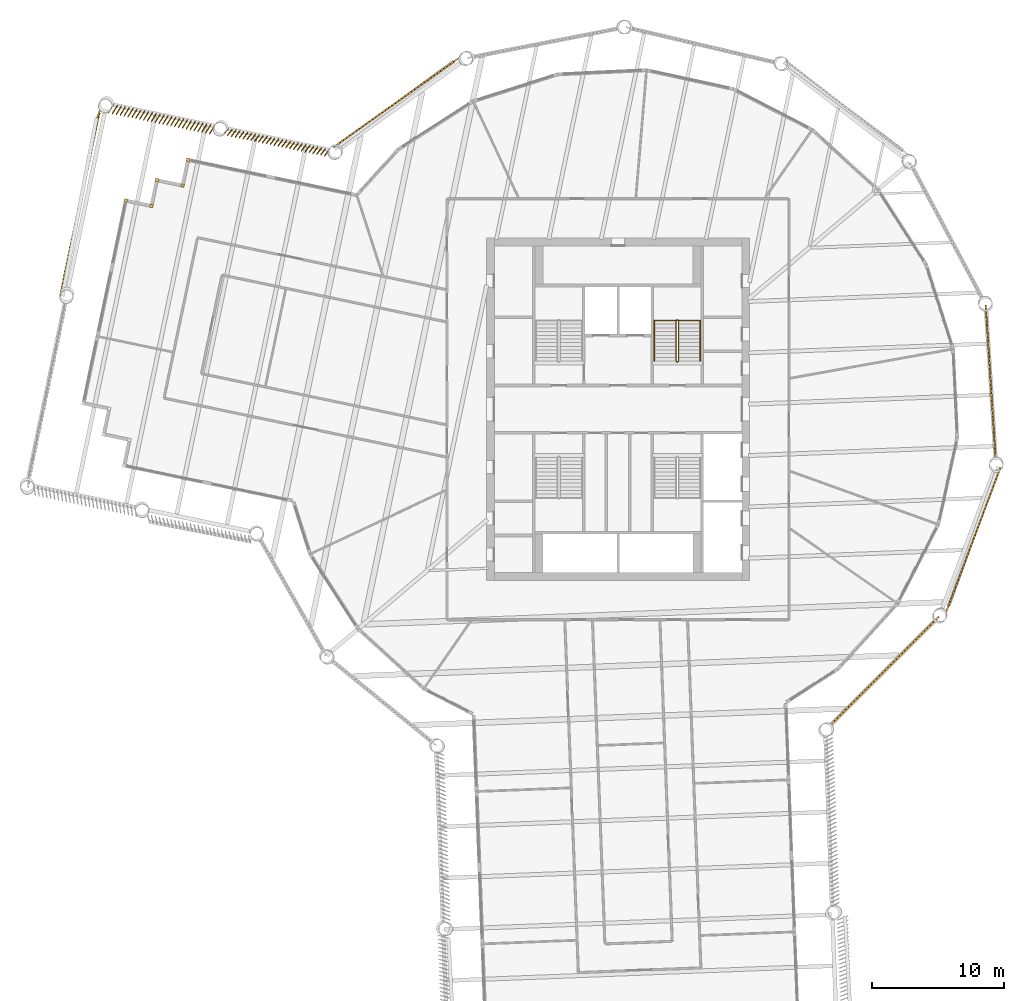
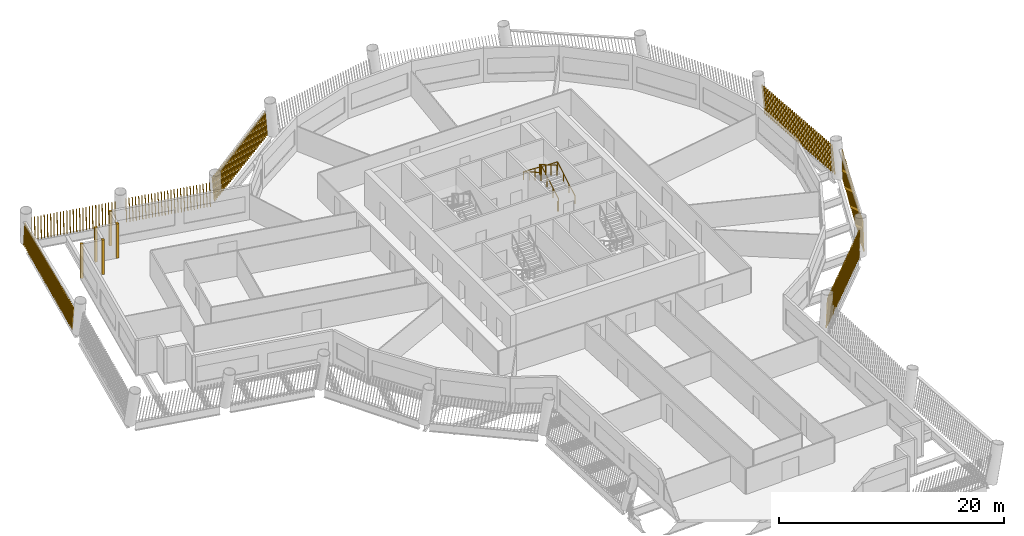
# One storey, part 12 of 14: 12 shading devices, 2 railings.
"""IFC4 building model written with IfcOpenShell, lengths in metres."""

from ifc_helpers import new_model, si_unit, direction, frame, frame_2d, origin, origin_2d, place, context, subcontext, project, spatial, rectangle, circle, composite_profile, extrude, material, type_object, element, save


model = new_model("IFC4")

# Units and contexts
model_context = context("Model", 3, precision=1e-05, world=origin(), true_north=direction((0.0, 1.0)))
body_context = subcontext(model_context, "Body", "Model", "MODEL_VIEW")
ifc_project = project(units=[si_unit("LENGTHUNIT", "METRE"), si_unit("AREAUNIT", "SQUARE_METRE"), si_unit("VOLUMEUNIT", "CUBIC_METRE"), si_unit("PLANEANGLEUNIT", "RADIAN"), si_unit("MASSUNIT", "GRAM", prefix="KILO")], contexts=[model_context])

# Site, building, storey
site_placement = place(None, origin())
site = spatial("IfcSite", under=ifc_project, at=site_placement, CompositionType="ELEMENT")
building_placement = place(site_placement, origin())
building = spatial("IfcBuilding", under=site, at=building_placement, Name="Tarsis Ring Headquarters", CompositionType="ELEMENT")
storey_placement = place(building_placement, frame((0.0, 0.0, 235.5)))
storey = spatial("IfcBuildingStorey", under=building, at=storey_placement, Name="L55", CompositionType="ELEMENT", Elevation=235.5)

# Railings
ifc_material_1 = material(Name="Steel S355", Category="steel")
railing_type_1 = type_object("IfcRailingType", Name="Core stair guard 1100", PredefinedType="GUARDRAIL", material=ifc_material_1)
railing_1_placement = place(storey_placement, frame((4.4599609375, 3.610107421875, 0.0)))
element("IfcRailing", 1, at=railing_1_placement, inside=storey, type_object=railing_type_1, Name="L55 ST2 stair guard 1", PredefinedType="GUARDRAIL", context=body_context, shape_type="SweptSolid", body=[
    extrude(circle(Radius=0.02392578125, at=origin_2d()), frame((0.0, 0.0, 1.076171875), z_axis=(1.0, 0.0, 0.0), x_axis=(0.0, 1.0, 0.0)), (0.0, 0.0, 1.0), 0.080078125),
    extrude(circle(Radius=0.02392578125, at=origin_2d()), frame((0.080078125, 0.0, 1.076171875), z_axis=(0.282336740067, 0.280959487676, 0.917250092119), x_axis=(-0.705375805398, 0.708833529934, 0.0)), (0.0, 0.0, 1.0), 0.17724609375),
    extrude(circle(Radius=0.02392578125, at=origin_2d()), frame((0.130126953125, 0.0498046875, 1.23876953125), z_axis=(0.0, 0.864920483161, 0.501908913857), x_axis=(-1.0, 0.0, 0.0)), (0.0, 0.0, 1.0), 3.56103515625),
    extrude(circle(Radius=0.02392578125, at=origin_2d()), frame((0.130126953125, 3.1298828125, 3.02587890625), z_axis=(-0.707106781187, 0.707106781187, 0.0), x_axis=(-0.707106781187, -0.707106781187, 0.0)), (0.0, 0.0, 1.0), 0.07080078125),
    extrude(circle(Radius=0.02392578125, at=origin_2d()), frame((0.080078125, 3.179931640625, 3.02587890625), z_axis=(-1.0, 0.0, 0.0), x_axis=(0.0, -1.0, 0.0)), (0.0, 0.0, 1.0), 0.080078125),
    extrude(circle(Radius=0.02392578125, at=origin_2d()), frame((0.0, 3.179931640625, 3.02587890625), z_axis=(-0.282227285176, -0.282227285176, 0.916894497205), x_axis=(0.707106781187, -0.707106781187, 0.0)), (0.0, 0.0, 1.0), 0.17724609375),
    extrude(circle(Radius=0.02392578125, at=origin_2d()), frame((-0.050048828125, 3.1298828125, 3.1884765625), z_axis=(0.0, -0.864920483161, 0.501908913857), x_axis=(1.0, 0.0, 0.0)), (0.0, 0.0, 1.0), 3.56103515625),
    extrude(circle(Radius=0.02099609375, at=origin_2d()), origin(), (0.0, 0.0, 1.0), 1.052001953125),
    extrude(circle(Radius=0.02099609375, at=origin_2d()), frame((0.080078125, 0.0, 0.0)), (0.0, 0.0, 1.0), 1.052001953125),
    extrude(circle(Radius=0.02099609375, at=origin_2d()), frame((0.130126953125, 0.0498046875, 0.16259765625)), (0.0, 0.0, 1.0), 1.052001953125),
    extrude(circle(Radius=0.02099609375, at=origin_2d()), frame((0.130126953125, 1.076416015625, 0.75830078125)), (0.0, 0.0, 1.0), 1.052001953125),
    extrude(circle(Radius=0.02099609375, at=origin_2d()), frame((0.130126953125, 2.103271484375, 1.354248046875)), (0.0, 0.0, 1.0), 1.052001953125),
    extrude(circle(Radius=0.02099609375, at=origin_2d()), frame((0.130126953125, 3.1298828125, 1.949951171875)), (0.0, 0.0, 1.0), 1.052001953125),
    extrude(circle(Radius=0.02099609375, at=origin_2d()), frame((0.080078125, 3.179931640625, 1.949951171875)), (0.0, 0.0, 1.0), 1.052001953125),
    extrude(circle(Radius=0.02099609375, at=origin_2d()), frame((0.0, 3.179931640625, 1.949951171875)), (0.0, 0.0, 1.0), 1.052001953125),
    extrude(circle(Radius=0.02099609375, at=origin_2d()), frame((-0.050048828125, 3.1298828125, 2.112548828125)), (0.0, 0.0, 1.0), 1.052001953125),
    extrude(circle(Radius=0.02099609375, at=origin_2d()), frame((-0.050048828125, 2.103271484375, 2.708251953125)), (0.0, 0.0, 1.0), 1.052001953125),
    extrude(circle(Radius=0.02099609375, at=origin_2d()), frame((-0.050048828125, 1.076416015625, 3.30419921875)), (0.0, 0.0, 1.0), 1.052001953125),
    extrude(circle(Radius=0.02099609375, at=origin_2d()), frame((-0.050048828125, 0.0498046875, 3.89990234375)), (0.0, 0.0, 1.0), 1.052001953125),
])
railing_type_2 = type_object("IfcRailingType", Name="Core stair handrail 900", PredefinedType="HANDRAIL", material=ifc_material_1)
railing_2_placement = place(storey_placement, frame((6.25, 3.659912109375, 0.16259765625)))
element("IfcRailing", 2, at=railing_2_placement, inside=storey, type_object=railing_type_2, Name="L55 ST2 stair handrail 1", PredefinedType="HANDRAIL", context=body_context, shape_type="SweptSolid", body=[
    extrude(circle(Radius=0.02392578125, at=origin_2d()), frame((0.0, 0.0, 0.8759765625), z_axis=(0.0, 0.864920483161, 0.501908913857), x_axis=(-1.0, 0.0, 0.0)), (0.0, 0.0, 1.0), 3.56103515625),
    extrude(circle(Radius=0.02392578125, at=origin_2d()), frame((0.0, 3.080078125, 2.6630859375), z_axis=(-0.998922641604, 0.0, 0.046406422943), x_axis=(0.0, -1.0, 0.0)), (0.0, 0.0, 1.0), 3.503662109375),
    extrude(circle(Radius=0.02392578125, at=origin_2d()), frame((-3.5, 3.080078125, 2.82568359375), z_axis=(0.0, -0.864920483161, 0.501908913857), x_axis=(1.0, 0.0, 0.0)), (0.0, 0.0, 1.0), 3.56103515625),
    extrude(circle(Radius=0.02099609375, at=origin_2d()), origin(), (0.0, 0.0, 1.0), 0.851806640625),
    extrude(circle(Radius=0.02099609375, at=origin_2d()), frame((0.0, 1.026611328125, 0.595703125)), (0.0, 0.0, 1.0), 0.851806640625),
    extrude(circle(Radius=0.02099609375, at=origin_2d()), frame((0.0, 2.053466796875, 1.191650390625)), (0.0, 0.0, 1.0), 0.851806640625),
    extrude(circle(Radius=0.02099609375, at=origin_2d()), frame((0.0, 3.080078125, 1.787353515625)), (0.0, 0.0, 1.0), 0.851806640625),
    extrude(circle(Radius=0.02099609375, at=origin_2d()), frame((-1.166748046875, 3.080078125, 1.841552734375)), (0.0, 0.0, 1.0), 0.851806640625),
    extrude(circle(Radius=0.02099609375, at=origin_2d()), frame((-2.333251953125, 3.080078125, 1.895751953125)), (0.0, 0.0, 1.0), 0.851806640625),
    extrude(circle(Radius=0.02099609375, at=origin_2d()), frame((-3.5, 3.080078125, 1.949951171875)), (0.0, 0.0, 1.0), 0.851806640625),
    extrude(circle(Radius=0.02099609375, at=origin_2d()), frame((-3.5, 2.053466796875, 2.545654296875)), (0.0, 0.0, 1.0), 0.851806640625),
    extrude(circle(Radius=0.02099609375, at=origin_2d()), frame((-3.5, 1.026611328125, 3.1416015625)), (0.0, 0.0, 1.0), 0.851806640625),
    extrude(circle(Radius=0.02099609375, at=origin_2d()), frame((-3.5, 0.0, 3.7373046875)), (0.0, 0.0, 1.0), 0.851806640625),
])

# Shading devices
ifc_material_2 = material(Name="Terracotta baguette", Category="masonry")
shading_device_type_1 = type_object("IfcShadingDeviceType", Name="Terracotta baguette screen", PredefinedType="USERDEFINED", material=ifc_material_2)
shading_device_1_placement = place(storey_placement, frame((16.10205078125, -24.055419921875, 0.0), z_axis=(0.0, 0.0, 1.0), x_axis=(0.707092629569, 0.707114332841, 0.0)))
element("IfcShadingDevice", 3, at=shading_device_1_placement, inside=storey, type_object=shading_device_type_1, Name="Baguette screen L55-07", ObjectType="Terracotta baguette screen", PredefinedType="USERDEFINED", context=body_context, shape_type="SweptSolid", body=[
    extrude(composite_profile([rectangle(XDim=0.06005859375, YDim=0.1201171875, at=frame_2d((0.030029296875, 0.0))), rectangle(XDim=0.06005859375, YDim=0.1201171875, at=frame_2d((0.33251953125, 0.0))), rectangle(XDim=0.06005859375, YDim=0.1201171875, at=frame_2d((0.634765625, 0.0))), rectangle(XDim=0.06005859375, YDim=0.1201171875, at=frame_2d((0.937255859375, 0.0))), rectangle(XDim=0.06005859375, YDim=0.1201171875, at=frame_2d((1.239501953125, 0.0))), rectangle(XDim=0.06005859375, YDim=0.1201171875, at=frame_2d((1.5419921875, 0.0))), rectangle(XDim=0.06005859375, YDim=0.1201171875, at=frame_2d((1.844482421875, 0.0))), rectangle(XDim=0.06005859375, YDim=0.1201171875, at=frame_2d((2.146728515625, 0.0))), rectangle(XDim=0.06005859375, YDim=0.1201171875, at=frame_2d((2.44921875, 0.0))), rectangle(XDim=0.06005859375, YDim=0.1201171875, at=frame_2d((2.751708984375, 0.0))), rectangle(XDim=0.06005859375, YDim=0.1201171875, at=frame_2d((3.053955078125, 0.0))), rectangle(XDim=0.06005859375, YDim=0.1201171875, at=frame_2d((3.3564453125, 0.0))), rectangle(XDim=0.06005859375, YDim=0.1201171875, at=frame_2d((3.65869140625, 0.0))), rectangle(XDim=0.06005859375, YDim=0.1201171875, at=frame_2d((3.961181640625, 0.0))), rectangle(XDim=0.06005859375, YDim=0.1201171875, at=frame_2d((4.263671875, 0.0))), rectangle(XDim=0.06005859375, YDim=0.1201171875, at=frame_2d((4.56591796875, 0.0))), rectangle(XDim=0.06005859375, YDim=0.1201171875, at=frame_2d((4.868408203125, 0.0))), rectangle(XDim=0.06005859375, YDim=0.1201171875, at=frame_2d((5.1708984375, 0.0))), rectangle(XDim=0.06005859375, YDim=0.1201171875, at=frame_2d((5.47314453125, 0.0))), rectangle(XDim=0.06005859375, YDim=0.1201171875, at=frame_2d((5.775634765625, 0.0))), rectangle(XDim=0.06005859375, YDim=0.1201171875, at=frame_2d((6.077880859375, 0.0))), rectangle(XDim=0.06005859375, YDim=0.1201171875, at=frame_2d((6.38037109375, 0.0))), rectangle(XDim=0.06005859375, YDim=0.1201171875, at=frame_2d((6.682861328125, 0.0))), rectangle(XDim=0.06005859375, YDim=0.1201171875, at=frame_2d((6.985107421875, 0.0))), rectangle(XDim=0.06005859375, YDim=0.1201171875, at=frame_2d((7.28759765625, 0.0))), rectangle(XDim=0.06005859375, YDim=0.1201171875, at=frame_2d((7.590087890625, 0.0))), rectangle(XDim=0.06005859375, YDim=0.1201171875, at=frame_2d((7.892333984375, 0.0))), rectangle(XDim=0.06005859375, YDim=0.1201171875, at=frame_2d((8.19482421875, 0.0))), rectangle(XDim=0.06005859375, YDim=0.1201171875, at=frame_2d((8.4970703125, 0.0))), rectangle(XDim=0.06005859375, YDim=0.1201171875, at=frame_2d((8.799560546875, 0.0))), rectangle(XDim=0.06005859375, YDim=0.1201171875, at=frame_2d((9.10205078125, 0.0))), rectangle(XDim=0.06005859375, YDim=0.1201171875, at=frame_2d((9.404296875, 0.0))), rectangle(XDim=0.06005859375, YDim=0.1201171875, at=frame_2d((9.706787109375, 0.0))), rectangle(XDim=0.06005859375, YDim=0.1201171875, at=frame_2d((10.00927734375, 0.0))), rectangle(XDim=0.06005859375, YDim=0.1201171875, at=frame_2d((10.3115234375, 0.0))), rectangle(XDim=0.06005859375, YDim=0.1201171875, at=frame_2d((10.614013671875, 0.0))), rectangle(XDim=0.06005859375, YDim=0.1201171875, at=frame_2d((10.916259765625, 0.0))), rectangle(XDim=0.06005859375, YDim=0.1201171875, at=frame_2d((11.21875, 0.0)))]), origin(), (0.159215724608, 0.001335058229, 0.987242913703), 2.988037109375),
])
shading_device_2_placement = place(storey_placement, frame((24.93701171875, -15.411865234375, 0.0), z_axis=(0.0, 0.0, 1.0), x_axis=(0.352750949539, 0.935713510581, 0.0)))
element("IfcShadingDevice", 4, at=shading_device_2_placement, inside=storey, type_object=shading_device_type_1, Name="Baguette screen L55-08", ObjectType="Terracotta baguette screen", PredefinedType="USERDEFINED", context=body_context, shape_type="SweptSolid", body=[
    extrude(composite_profile([rectangle(XDim=0.06005859375, YDim=0.1201171875, at=frame_2d((0.030029296875, 0.0))), rectangle(XDim=0.06005859375, YDim=0.1201171875, at=frame_2d((0.33251953125, 0.0))), rectangle(XDim=0.06005859375, YDim=0.1201171875, at=frame_2d((0.634765625, 0.0))), rectangle(XDim=0.06005859375, YDim=0.1201171875, at=frame_2d((0.937255859375, 0.0))), rectangle(XDim=0.06005859375, YDim=0.1201171875, at=frame_2d((1.239501953125, 0.0))), rectangle(XDim=0.06005859375, YDim=0.1201171875, at=frame_2d((1.5419921875, 0.0))), rectangle(XDim=0.06005859375, YDim=0.1201171875, at=frame_2d((1.844482421875, 0.0))), rectangle(XDim=0.06005859375, YDim=0.1201171875, at=frame_2d((2.146728515625, 0.0))), rectangle(XDim=0.06005859375, YDim=0.1201171875, at=frame_2d((2.44921875, 0.0))), rectangle(XDim=0.06005859375, YDim=0.1201171875, at=frame_2d((2.751708984375, 0.0))), rectangle(XDim=0.06005859375, YDim=0.1201171875, at=frame_2d((3.053955078125, 0.0))), rectangle(XDim=0.06005859375, YDim=0.1201171875, at=frame_2d((3.3564453125, 0.0))), rectangle(XDim=0.06005859375, YDim=0.1201171875, at=frame_2d((3.65869140625, 0.0))), rectangle(XDim=0.06005859375, YDim=0.1201171875, at=frame_2d((3.961181640625, 0.0))), rectangle(XDim=0.06005859375, YDim=0.1201171875, at=frame_2d((4.263671875, 0.0))), rectangle(XDim=0.06005859375, YDim=0.1201171875, at=frame_2d((4.56591796875, 0.0))), rectangle(XDim=0.06005859375, YDim=0.1201171875, at=frame_2d((4.868408203125, 0.0))), rectangle(XDim=0.06005859375, YDim=0.1201171875, at=frame_2d((5.1708984375, 0.0))), rectangle(XDim=0.06005859375, YDim=0.1201171875, at=frame_2d((5.47314453125, 0.0))), rectangle(XDim=0.06005859375, YDim=0.1201171875, at=frame_2d((5.775634765625, 0.0))), rectangle(XDim=0.06005859375, YDim=0.1201171875, at=frame_2d((6.077880859375, 0.0))), rectangle(XDim=0.06005859375, YDim=0.1201171875, at=frame_2d((6.38037109375, 0.0))), rectangle(XDim=0.06005859375, YDim=0.1201171875, at=frame_2d((6.682861328125, 0.0))), rectangle(XDim=0.06005859375, YDim=0.1201171875, at=frame_2d((6.985107421875, 0.0))), rectangle(XDim=0.06005859375, YDim=0.1201171875, at=frame_2d((7.28759765625, 0.0))), rectangle(XDim=0.06005859375, YDim=0.1201171875, at=frame_2d((7.590087890625, 0.0))), rectangle(XDim=0.06005859375, YDim=0.1201171875, at=frame_2d((7.892333984375, 0.0))), rectangle(XDim=0.06005859375, YDim=0.1201171875, at=frame_2d((8.19482421875, 0.0))), rectangle(XDim=0.06005859375, YDim=0.1201171875, at=frame_2d((8.4970703125, 0.0))), rectangle(XDim=0.06005859375, YDim=0.1201171875, at=frame_2d((8.799560546875, 0.0))), rectangle(XDim=0.06005859375, YDim=0.1201171875, at=frame_2d((9.10205078125, 0.0))), rectangle(XDim=0.06005859375, YDim=0.1201171875, at=frame_2d((9.404296875, 0.0))), rectangle(XDim=0.06005859375, YDim=0.1201171875, at=frame_2d((9.706787109375, 0.0))), rectangle(XDim=0.06005859375, YDim=0.1201171875, at=frame_2d((10.00927734375, 0.0))), rectangle(XDim=0.06005859375, YDim=0.1201171875, at=frame_2d((10.3115234375, 0.0))), rectangle(XDim=0.06005859375, YDim=0.1201171875, at=frame_2d((10.614013671875, 0.0))), rectangle(XDim=0.06005859375, YDim=0.1201171875, at=frame_2d((10.916259765625, 0.0))), rectangle(XDim=0.06005859375, YDim=0.1201171875, at=frame_2d((11.21875, 0.0)))]), origin(), (0.16126408668, 0.001349692179, 0.986910367094), 2.989013671875),
])
shading_device_3_placement = place(storey_placement, frame((28.698486328125, -3.787109375, 0.0), z_axis=(0.0, 0.0, 1.0), x_axis=(-0.064308193163, 0.99793814433, 0.0)))
element("IfcShadingDevice", 5, at=shading_device_3_placement, inside=storey, type_object=shading_device_type_1, Name="Baguette screen L55-09", ObjectType="Terracotta baguette screen", PredefinedType="USERDEFINED", context=body_context, shape_type="SweptSolid", body=[
    extrude(composite_profile([rectangle(XDim=0.06005859375, YDim=0.1201171875, at=frame_2d((0.030029296875, 0.0))), rectangle(XDim=0.06005859375, YDim=0.1201171875, at=frame_2d((0.33251953125, 0.0))), rectangle(XDim=0.06005859375, YDim=0.1201171875, at=frame_2d((0.634765625, 0.0))), rectangle(XDim=0.06005859375, YDim=0.1201171875, at=frame_2d((0.937255859375, 0.0))), rectangle(XDim=0.06005859375, YDim=0.1201171875, at=frame_2d((1.239501953125, 0.0))), rectangle(XDim=0.06005859375, YDim=0.1201171875, at=frame_2d((1.5419921875, 0.0))), rectangle(XDim=0.06005859375, YDim=0.1201171875, at=frame_2d((1.844482421875, 0.0))), rectangle(XDim=0.06005859375, YDim=0.1201171875, at=frame_2d((2.146728515625, 0.0))), rectangle(XDim=0.06005859375, YDim=0.1201171875, at=frame_2d((2.44921875, 0.0))), rectangle(XDim=0.06005859375, YDim=0.1201171875, at=frame_2d((2.751708984375, 0.0))), rectangle(XDim=0.06005859375, YDim=0.1201171875, at=frame_2d((3.053955078125, 0.0))), rectangle(XDim=0.06005859375, YDim=0.1201171875, at=frame_2d((3.3564453125, 0.0))), rectangle(XDim=0.06005859375, YDim=0.1201171875, at=frame_2d((3.65869140625, 0.0))), rectangle(XDim=0.06005859375, YDim=0.1201171875, at=frame_2d((3.961181640625, 0.0))), rectangle(XDim=0.06005859375, YDim=0.1201171875, at=frame_2d((4.263671875, 0.0))), rectangle(XDim=0.06005859375, YDim=0.1201171875, at=frame_2d((4.56591796875, 0.0))), rectangle(XDim=0.06005859375, YDim=0.1201171875, at=frame_2d((4.868408203125, 0.0))), rectangle(XDim=0.06005859375, YDim=0.1201171875, at=frame_2d((5.1708984375, 0.0))), rectangle(XDim=0.06005859375, YDim=0.1201171875, at=frame_2d((5.47314453125, 0.0))), rectangle(XDim=0.06005859375, YDim=0.1201171875, at=frame_2d((5.775634765625, 0.0))), rectangle(XDim=0.06005859375, YDim=0.1201171875, at=frame_2d((6.077880859375, 0.0))), rectangle(XDim=0.06005859375, YDim=0.1201171875, at=frame_2d((6.38037109375, 0.0))), rectangle(XDim=0.06005859375, YDim=0.1201171875, at=frame_2d((6.682861328125, 0.0))), rectangle(XDim=0.06005859375, YDim=0.1201171875, at=frame_2d((6.985107421875, 0.0))), rectangle(XDim=0.06005859375, YDim=0.1201171875, at=frame_2d((7.28759765625, 0.0))), rectangle(XDim=0.06005859375, YDim=0.1201171875, at=frame_2d((7.590087890625, 0.0))), rectangle(XDim=0.06005859375, YDim=0.1201171875, at=frame_2d((7.892333984375, 0.0))), rectangle(XDim=0.06005859375, YDim=0.1201171875, at=frame_2d((8.19482421875, 0.0))), rectangle(XDim=0.06005859375, YDim=0.1201171875, at=frame_2d((8.4970703125, 0.0))), rectangle(XDim=0.06005859375, YDim=0.1201171875, at=frame_2d((8.799560546875, 0.0))), rectangle(XDim=0.06005859375, YDim=0.1201171875, at=frame_2d((9.10205078125, 0.0))), rectangle(XDim=0.06005859375, YDim=0.1201171875, at=frame_2d((9.404296875, 0.0))), rectangle(XDim=0.06005859375, YDim=0.1201171875, at=frame_2d((9.706787109375, 0.0))), rectangle(XDim=0.06005859375, YDim=0.1201171875, at=frame_2d((10.00927734375, 0.0))), rectangle(XDim=0.06005859375, YDim=0.1201171875, at=frame_2d((10.3115234375, 0.0))), rectangle(XDim=0.06005859375, YDim=0.1201171875, at=frame_2d((10.614013671875, 0.0))), rectangle(XDim=0.06005859375, YDim=0.1201171875, at=frame_2d((10.916259765625, 0.0))), rectangle(XDim=0.06005859375, YDim=0.1201171875, at=frame_2d((11.21875, 0.0)))]), origin(), (0.159217576382, 0.001331600003, 0.987242619731), 2.988037109375),
])
shading_device_4_placement = place(storey_placement, frame((-12.0810546875, 26.7099609375, 0.0), z_axis=(0.0, 0.0, 1.0), x_axis=(-0.815149213239, -0.579251220836, 0.0)))
element("IfcShadingDevice", 6, at=shading_device_4_placement, inside=storey, type_object=shading_device_type_1, Name="Baguette screen L55-14", ObjectType="Terracotta baguette screen", PredefinedType="USERDEFINED", context=body_context, shape_type="SweptSolid", body=[
    extrude(composite_profile([rectangle(XDim=0.06005859375, YDim=0.1201171875, at=frame_2d((0.030029296875, 0.0))), rectangle(XDim=0.06005859375, YDim=0.1201171875, at=frame_2d((0.33251953125, 0.0))), rectangle(XDim=0.06005859375, YDim=0.1201171875, at=frame_2d((0.634765625, 0.0))), rectangle(XDim=0.06005859375, YDim=0.1201171875, at=frame_2d((0.937255859375, 0.0))), rectangle(XDim=0.06005859375, YDim=0.1201171875, at=frame_2d((1.239501953125, 0.0))), rectangle(XDim=0.06005859375, YDim=0.1201171875, at=frame_2d((1.5419921875, 0.0))), rectangle(XDim=0.06005859375, YDim=0.1201171875, at=frame_2d((1.844482421875, 0.0))), rectangle(XDim=0.06005859375, YDim=0.1201171875, at=frame_2d((2.146728515625, 0.0))), rectangle(XDim=0.06005859375, YDim=0.1201171875, at=frame_2d((2.44921875, 0.0))), rectangle(XDim=0.06005859375, YDim=0.1201171875, at=frame_2d((2.751708984375, 0.0))), rectangle(XDim=0.06005859375, YDim=0.1201171875, at=frame_2d((3.053955078125, 0.0))), rectangle(XDim=0.06005859375, YDim=0.1201171875, at=frame_2d((3.3564453125, 0.0))), rectangle(XDim=0.06005859375, YDim=0.1201171875, at=frame_2d((3.65869140625, 0.0))), rectangle(XDim=0.06005859375, YDim=0.1201171875, at=frame_2d((3.961181640625, 0.0))), rectangle(XDim=0.06005859375, YDim=0.1201171875, at=frame_2d((4.263671875, 0.0))), rectangle(XDim=0.06005859375, YDim=0.1201171875, at=frame_2d((4.56591796875, 0.0))), rectangle(XDim=0.06005859375, YDim=0.1201171875, at=frame_2d((4.868408203125, 0.0))), rectangle(XDim=0.06005859375, YDim=0.1201171875, at=frame_2d((5.1708984375, 0.0))), rectangle(XDim=0.06005859375, YDim=0.1201171875, at=frame_2d((5.47314453125, 0.0))), rectangle(XDim=0.06005859375, YDim=0.1201171875, at=frame_2d((5.775634765625, 0.0))), rectangle(XDim=0.06005859375, YDim=0.1201171875, at=frame_2d((6.077880859375, 0.0))), rectangle(XDim=0.06005859375, YDim=0.1201171875, at=frame_2d((6.38037109375, 0.0))), rectangle(XDim=0.06005859375, YDim=0.1201171875, at=frame_2d((6.682861328125, 0.0))), rectangle(XDim=0.06005859375, YDim=0.1201171875, at=frame_2d((6.985107421875, 0.0))), rectangle(XDim=0.06005859375, YDim=0.1201171875, at=frame_2d((7.28759765625, 0.0))), rectangle(XDim=0.06005859375, YDim=0.1201171875, at=frame_2d((7.590087890625, 0.0))), rectangle(XDim=0.06005859375, YDim=0.1201171875, at=frame_2d((7.892333984375, 0.0))), rectangle(XDim=0.06005859375, YDim=0.1201171875, at=frame_2d((8.19482421875, 0.0))), rectangle(XDim=0.06005859375, YDim=0.1201171875, at=frame_2d((8.4970703125, 0.0))), rectangle(XDim=0.06005859375, YDim=0.1201171875, at=frame_2d((8.799560546875, 0.0))), rectangle(XDim=0.06005859375, YDim=0.1201171875, at=frame_2d((9.10205078125, 0.0))), rectangle(XDim=0.06005859375, YDim=0.1201171875, at=frame_2d((9.404296875, 0.0))), rectangle(XDim=0.06005859375, YDim=0.1201171875, at=frame_2d((9.706787109375, 0.0))), rectangle(XDim=0.06005859375, YDim=0.1201171875, at=frame_2d((10.00927734375, 0.0))), rectangle(XDim=0.06005859375, YDim=0.1201171875, at=frame_2d((10.3115234375, 0.0))), rectangle(XDim=0.06005859375, YDim=0.1201171875, at=frame_2d((10.614013671875, 0.0))), rectangle(XDim=0.06005859375, YDim=0.1201171875, at=frame_2d((10.916259765625, 0.0))), rectangle(XDim=0.06005859375, YDim=0.1201171875, at=frame_2d((11.21875, 0.0)))]), origin(), (0.161264473778, 0.001353740931, 0.986910298296), 2.989013671875),
])
shading_device_5_placement = place(storey_placement, frame((-21.93017578125, 19.700927734375, 0.0), z_axis=(0.0, 0.0, 1.0), x_axis=(-0.978868017795, 0.204492090954, 0.0)))
element("IfcShadingDevice", 7, at=shading_device_5_placement, inside=storey, type_object=shading_device_type_1, Name="Baguette screen L55-15", ObjectType="Terracotta baguette screen", PredefinedType="USERDEFINED", context=body_context, shape_type="SweptSolid", body=[
    extrude(composite_profile([rectangle(XDim=0.06005859375, YDim=0.1201171875, at=frame_2d((0.030029296875, 0.0))), rectangle(XDim=0.06005859375, YDim=0.1201171875, at=frame_2d((0.33154296875, 0.0))), rectangle(XDim=0.06005859375, YDim=0.1201171875, at=frame_2d((0.63330078125, 0.0))), rectangle(XDim=0.06005859375, YDim=0.1201171875, at=frame_2d((0.934814453125, 0.0))), rectangle(XDim=0.06005859375, YDim=0.1201171875, at=frame_2d((1.236572265625, 0.0))), rectangle(XDim=0.06005859375, YDim=0.1201171875, at=frame_2d((1.5380859375, 0.0))), rectangle(XDim=0.06005859375, YDim=0.1201171875, at=frame_2d((1.83984375, 0.0))), rectangle(XDim=0.06005859375, YDim=0.1201171875, at=frame_2d((2.141357421875, 0.0))), rectangle(XDim=0.06005859375, YDim=0.1201171875, at=frame_2d((2.443115234375, 0.0))), rectangle(XDim=0.06005859375, YDim=0.1201171875, at=frame_2d((2.74462890625, 0.0))), rectangle(XDim=0.06005859375, YDim=0.1201171875, at=frame_2d((3.04638671875, 0.0))), rectangle(XDim=0.06005859375, YDim=0.1201171875, at=frame_2d((3.347900390625, 0.0))), rectangle(XDim=0.06005859375, YDim=0.1201171875, at=frame_2d((3.649658203125, 0.0))), rectangle(XDim=0.06005859375, YDim=0.1201171875, at=frame_2d((3.951171875, 0.0))), rectangle(XDim=0.06005859375, YDim=0.1201171875, at=frame_2d((4.252685546875, 0.0))), rectangle(XDim=0.06005859375, YDim=0.1201171875, at=frame_2d((4.554443359375, 0.0))), rectangle(XDim=0.06005859375, YDim=0.1201171875, at=frame_2d((4.85595703125, 0.0))), rectangle(XDim=0.06005859375, YDim=0.1201171875, at=frame_2d((5.15771484375, 0.0))), rectangle(XDim=0.06005859375, YDim=0.1201171875, at=frame_2d((5.459228515625, 0.0))), rectangle(XDim=0.06005859375, YDim=0.1201171875, at=frame_2d((5.760986328125, 0.0))), rectangle(XDim=0.06005859375, YDim=0.1201171875, at=frame_2d((6.0625, 0.0))), rectangle(XDim=0.06005859375, YDim=0.1201171875, at=frame_2d((6.3642578125, 0.0))), rectangle(XDim=0.06005859375, YDim=0.1201171875, at=frame_2d((6.665771484375, 0.0))), rectangle(XDim=0.06005859375, YDim=0.1201171875, at=frame_2d((6.967529296875, 0.0))), rectangle(XDim=0.06005859375, YDim=0.1201171875, at=frame_2d((7.26904296875, 0.0))), rectangle(XDim=0.06005859375, YDim=0.1201171875, at=frame_2d((7.57080078125, 0.0))), rectangle(XDim=0.06005859375, YDim=0.1201171875, at=frame_2d((7.872314453125, 0.0)))]), origin(), (0.081245434848, 0.165080099519, 0.982928145929), 3.001220703125),
])
shading_device_6_placement = place(storey_placement, frame((-30.644287109375, 21.521484375, 0.0), z_axis=(0.0, 0.0, 1.0), x_axis=(-0.978868017795, 0.204492090954, 0.0)))
element("IfcShadingDevice", 8, at=shading_device_6_placement, inside=storey, type_object=shading_device_type_1, Name="Baguette screen L55-16", ObjectType="Terracotta baguette screen", PredefinedType="USERDEFINED", context=body_context, shape_type="SweptSolid", body=[
    extrude(composite_profile([rectangle(XDim=0.06005859375, YDim=0.1201171875, at=frame_2d((0.030029296875, 0.0))), rectangle(XDim=0.06005859375, YDim=0.1201171875, at=frame_2d((0.33154296875, 0.0))), rectangle(XDim=0.06005859375, YDim=0.1201171875, at=frame_2d((0.63330078125, 0.0))), rectangle(XDim=0.06005859375, YDim=0.1201171875, at=frame_2d((0.934814453125, 0.0))), rectangle(XDim=0.06005859375, YDim=0.1201171875, at=frame_2d((1.236572265625, 0.0))), rectangle(XDim=0.06005859375, YDim=0.1201171875, at=frame_2d((1.5380859375, 0.0))), rectangle(XDim=0.06005859375, YDim=0.1201171875, at=frame_2d((1.83984375, 0.0))), rectangle(XDim=0.06005859375, YDim=0.1201171875, at=frame_2d((2.141357421875, 0.0))), rectangle(XDim=0.06005859375, YDim=0.1201171875, at=frame_2d((2.443115234375, 0.0))), rectangle(XDim=0.06005859375, YDim=0.1201171875, at=frame_2d((2.74462890625, 0.0))), rectangle(XDim=0.06005859375, YDim=0.1201171875, at=frame_2d((3.04638671875, 0.0))), rectangle(XDim=0.06005859375, YDim=0.1201171875, at=frame_2d((3.347900390625, 0.0))), rectangle(XDim=0.06005859375, YDim=0.1201171875, at=frame_2d((3.649658203125, 0.0))), rectangle(XDim=0.06005859375, YDim=0.1201171875, at=frame_2d((3.951171875, 0.0))), rectangle(XDim=0.06005859375, YDim=0.1201171875, at=frame_2d((4.252685546875, 0.0))), rectangle(XDim=0.06005859375, YDim=0.1201171875, at=frame_2d((4.554443359375, 0.0))), rectangle(XDim=0.06005859375, YDim=0.1201171875, at=frame_2d((4.85595703125, 0.0))), rectangle(XDim=0.06005859375, YDim=0.1201171875, at=frame_2d((5.15771484375, 0.0))), rectangle(XDim=0.06005859375, YDim=0.1201171875, at=frame_2d((5.459228515625, 0.0))), rectangle(XDim=0.06005859375, YDim=0.1201171875, at=frame_2d((5.760986328125, 0.0))), rectangle(XDim=0.06005859375, YDim=0.1201171875, at=frame_2d((6.0625, 0.0))), rectangle(XDim=0.06005859375, YDim=0.1201171875, at=frame_2d((6.3642578125, 0.0))), rectangle(XDim=0.06005859375, YDim=0.1201171875, at=frame_2d((6.665771484375, 0.0))), rectangle(XDim=0.06005859375, YDim=0.1201171875, at=frame_2d((6.967529296875, 0.0))), rectangle(XDim=0.06005859375, YDim=0.1201171875, at=frame_2d((7.26904296875, 0.0))), rectangle(XDim=0.06005859375, YDim=0.1201171875, at=frame_2d((7.57080078125, 0.0))), rectangle(XDim=0.06005859375, YDim=0.1201171875, at=frame_2d((7.872314453125, 0.0)))]), origin(), (0.080079778779, 0.212785297886, 0.973811915122), 3.029296875),
])
shading_device_7_placement = place(storey_placement, frame((-39.33837890625, 22.826904296875, 0.0), z_axis=(0.0, 0.0, 1.0), x_axis=(-0.204493586908, -0.978858911986, 0.0)))
element("IfcShadingDevice", 9, at=shading_device_7_placement, inside=storey, type_object=shading_device_type_1, Name="Baguette screen L55-17", ObjectType="Terracotta baguette screen", PredefinedType="USERDEFINED", context=body_context, shape_type="SweptSolid", body=[
    extrude(composite_profile([rectangle(XDim=0.06005859375, YDim=0.1201171875, at=frame_2d((0.030029296875, 0.0))), rectangle(XDim=0.06005859375, YDim=0.1201171875, at=frame_2d((0.33544921875, 0.0))), rectangle(XDim=0.06005859375, YDim=0.1201171875, at=frame_2d((0.640625, 0.0))), rectangle(XDim=0.06005859375, YDim=0.1201171875, at=frame_2d((0.946044921875, 0.0))), rectangle(XDim=0.06005859375, YDim=0.1201171875, at=frame_2d((1.25146484375, 0.0))), rectangle(XDim=0.06005859375, YDim=0.1201171875, at=frame_2d((1.556640625, 0.0))), rectangle(XDim=0.06005859375, YDim=0.1201171875, at=frame_2d((1.862060546875, 0.0))), rectangle(XDim=0.06005859375, YDim=0.1201171875, at=frame_2d((2.16748046875, 0.0))), rectangle(XDim=0.06005859375, YDim=0.1201171875, at=frame_2d((2.47265625, 0.0))), rectangle(XDim=0.06005859375, YDim=0.1201171875, at=frame_2d((2.778076171875, 0.0))), rectangle(XDim=0.06005859375, YDim=0.1201171875, at=frame_2d((3.08349609375, 0.0))), rectangle(XDim=0.06005859375, YDim=0.1201171875, at=frame_2d((3.388671875, 0.0))), rectangle(XDim=0.06005859375, YDim=0.1201171875, at=frame_2d((3.694091796875, 0.0))), rectangle(XDim=0.06005859375, YDim=0.1201171875, at=frame_2d((3.99951171875, 0.0))), rectangle(XDim=0.06005859375, YDim=0.1201171875, at=frame_2d((4.3046875, 0.0))), rectangle(XDim=0.06005859375, YDim=0.1201171875, at=frame_2d((4.610107421875, 0.0))), rectangle(XDim=0.06005859375, YDim=0.1201171875, at=frame_2d((4.91552734375, 0.0))), rectangle(XDim=0.06005859375, YDim=0.1201171875, at=frame_2d((5.220703125, 0.0))), rectangle(XDim=0.06005859375, YDim=0.1201171875, at=frame_2d((5.526123046875, 0.0))), rectangle(XDim=0.06005859375, YDim=0.1201171875, at=frame_2d((5.83154296875, 0.0))), rectangle(XDim=0.06005859375, YDim=0.1201171875, at=frame_2d((6.13671875, 0.0))), rectangle(XDim=0.06005859375, YDim=0.1201171875, at=frame_2d((6.442138671875, 0.0))), rectangle(XDim=0.06005859375, YDim=0.1201171875, at=frame_2d((6.74755859375, 0.0))), rectangle(XDim=0.06005859375, YDim=0.1201171875, at=frame_2d((7.052734375, 0.0))), rectangle(XDim=0.06005859375, YDim=0.1201171875, at=frame_2d((7.358154296875, 0.0))), rectangle(XDim=0.06005859375, YDim=0.1201171875, at=frame_2d((7.66357421875, 0.0))), rectangle(XDim=0.06005859375, YDim=0.1201171875, at=frame_2d((7.96875, 0.0))), rectangle(XDim=0.06005859375, YDim=0.1201171875, at=frame_2d((8.274169921875, 0.0))), rectangle(XDim=0.06005859375, YDim=0.1201171875, at=frame_2d((8.57958984375, 0.0))), rectangle(XDim=0.06005859375, YDim=0.1201171875, at=frame_2d((8.884765625, 0.0))), rectangle(XDim=0.06005859375, YDim=0.1201171875, at=frame_2d((9.190185546875, 0.0))), rectangle(XDim=0.06005859375, YDim=0.1201171875, at=frame_2d((9.49560546875, 0.0))), rectangle(XDim=0.06005859375, YDim=0.1201171875, at=frame_2d((9.80078125, 0.0))), rectangle(XDim=0.06005859375, YDim=0.1201171875, at=frame_2d((10.106201171875, 0.0))), rectangle(XDim=0.06005859375, YDim=0.1201171875, at=frame_2d((10.41162109375, 0.0))), rectangle(XDim=0.06005859375, YDim=0.1201171875, at=frame_2d((10.716796875, 0.0))), rectangle(XDim=0.06005859375, YDim=0.1201171875, at=frame_2d((11.022216796875, 0.0))), rectangle(XDim=0.06005859375, YDim=0.1201171875, at=frame_2d((11.32763671875, 0.0))), rectangle(XDim=0.06005859375, YDim=0.1201171875, at=frame_2d((11.6328125, 0.0))), rectangle(XDim=0.06005859375, YDim=0.1201171875, at=frame_2d((11.938232421875, 0.0))), rectangle(XDim=0.06005859375, YDim=0.1201171875, at=frame_2d((12.24365234375, 0.0))), rectangle(XDim=0.06005859375, YDim=0.1201171875, at=frame_2d((12.548828125, 0.0))), rectangle(XDim=0.06005859375, YDim=0.1201171875, at=frame_2d((12.854248046875, 0.0))), rectangle(XDim=0.06005859375, YDim=0.1201171875, at=frame_2d((13.15966796875, 0.0))), rectangle(XDim=0.06005859375, YDim=0.1201171875, at=frame_2d((13.46484375, 0.0))), rectangle(XDim=0.06005859375, YDim=0.1201171875, at=frame_2d((13.770263671875, 0.0)))]), origin(), (0.238299420577, -0.038791594564, 0.97041671376), 3.039794921875),
])
shading_device_type_2 = type_object("IfcShadingDeviceType", Name="Terracotta corner baguette 250x250", PredefinedType="USERDEFINED", material=ifc_material_2)
for number, where, z_axis, x_axis, name in (
    (10, (-32.6884765625, 18.96044921875, 0.0), (0.0, 0.0, 1.0), (-0.978867388762, 0.204496051842, 0.0), "Corner baguette L55-32"),
    (11, (-33.097412109375, 17.002685546875, 0.0), (0.0, 0.0, 1.0), (-0.204496461869, -0.978867303102, 0.0), "Corner baguette L55-33"),
    (12, (-35.05517578125, 17.41162109375, 0.0), (0.0, 0.0, 1.0), (-0.978867481559, 0.204495607646, 0.0), "Corner baguette L55-34"),
    (13, (-35.464111328125, 15.453857421875, 0.0), (0.0, 0.0, 1.0), (-0.204496086011, -0.978867381623, 0.0), "Corner baguette L55-35"),
    (14, (-37.421875, 15.86279296875, 0.0), (0.0, 0.0, 1.0), (-0.978867403038, 0.204495983504, 0.0), "Corner baguette L55-36"),
):
    element("IfcShadingDevice", number, at=place(storey_placement, frame(where, z_axis=z_axis, x_axis=x_axis)), inside=storey, type_object=shading_device_type_2, Name=name, ObjectType="Terracotta corner baguette", PredefinedType="USERDEFINED", context=body_context, shape_type="SweptSolid", body=[
        extrude(rectangle(XDim=0.25, YDim=0.25, at=origin_2d()), origin(), (0.0, 0.0, 1.0), 3.739990234375),
    ])

save(model, "model.ifc")
